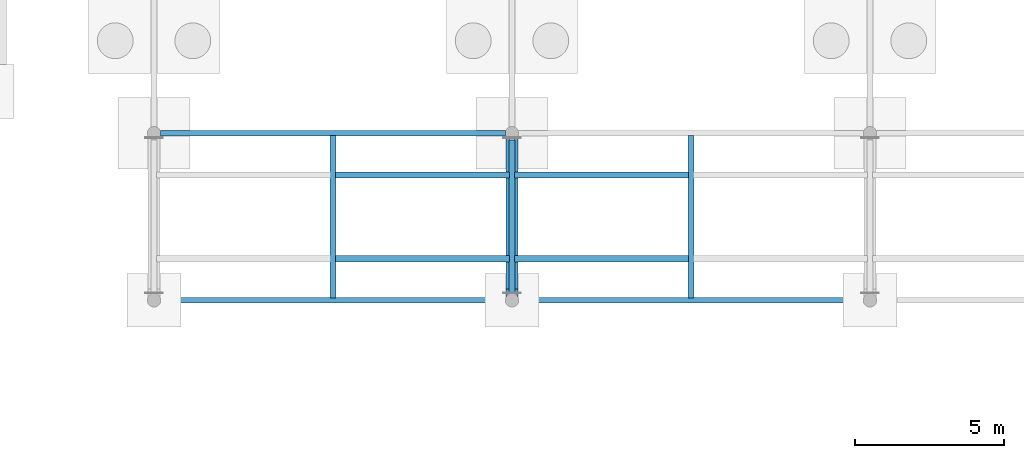
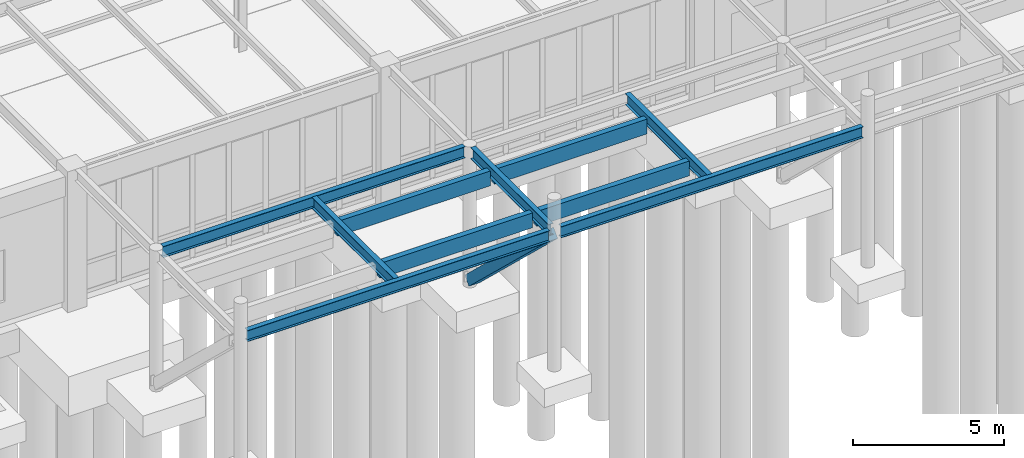
# One storey, part 54 of 188: 6 beams, 5 members.
"""IFC4 building model written with IfcOpenShell, lengths in metres."""

from ifc_helpers import new_model, si_unit, direction, frame, origin, origin_2d, place, context, subcontext, project, spatial, rectangle, i_section, extrude, material, material_profile, profile_set, type_object, element, save


model = new_model("IFC4")

# Units and contexts
model_context = context("Model", 3, precision=1e-05, world=origin(), true_north=direction((0.0, 1.0)))
body_context = subcontext(model_context, "Body", "Model", "MODEL_VIEW")
ifc_project = project(units=[si_unit("LENGTHUNIT", "METRE"), si_unit("AREAUNIT", "SQUARE_METRE"), si_unit("VOLUMEUNIT", "CUBIC_METRE"), si_unit("PLANEANGLEUNIT", "RADIAN"), si_unit("MASSUNIT", "GRAM", prefix="KILO")], contexts=[model_context])

# Site, building, storey
site_placement = place(None, origin())
site = spatial("IfcSite", under=ifc_project, at=site_placement, CompositionType="ELEMENT")
building_placement = place(site_placement, origin())
building = spatial("IfcBuilding", under=site, at=building_placement, Name="Pandanus Reach Market Hall", CompositionType="ELEMENT")
storey_placement = place(building_placement, origin())
storey = spatial("IfcBuildingStorey", under=building, at=storey_placement, Name="L00", CompositionType="ELEMENT", Elevation=0.0)

# Beams
ifc_material_1 = material(Name="Steel Grade 350 (350 MPa)", Category="steel")
ifc_material_profile_1 = material_profile(ifc_material_1, i_section(OverallWidth=0.18994140625, OverallDepth=0.45703125, WebThickness=0.009033203125, FlangeThickness=0.014404296875, at=origin_2d()), Name="460UB74.6", Category="LoadBearing")
ifc_profile_set_1 = profile_set([ifc_material_profile_1], Name="Steel Grade 350 (350 MPa)")
beam_type = type_object("IfcBeamType", Name="BM-UB460-E", PredefinedType="BEAM", material=ifc_profile_set_1)
beam_1_placement = place(storey_placement, frame((72.0, 17.820068359375, 5.169921875), z_axis=(0.0, 1.0, 0.0), x_axis=(-1.0, 0.0, 0.0)))
element("IfcBeam", 1, at=beam_1_placement, inside=storey, type_object=beam_type, Name="Forecourt canopy beam C2A", PredefinedType="BEAM", context=body_context, shape_type="SweptSolid", body=[
    extrude(i_section(OverallWidth=0.18994140625, OverallDepth=0.45703125, WebThickness=0.009033203125, FlangeThickness=0.014404296875, at=origin_2d()), origin(), (0.0, 0.0, 1.0), 5.159912109375),
])
for number, where, z_axis, x_axis, name in (
    (2, (60.219970703125, 17.60009765625, 5.169921875), (1.0, 0.0, 0.0), (0.0, 1.0, 0.0), "Forecourt canopy front girder C1"),
    (3, (60.219970703125, 23.199951171875, 5.169921875), (1.0, 0.0, 0.0), (0.0, 1.0, 0.0), "Forecourt canopy spine girder C1"),
):
    element("IfcBeam", number, at=place(storey_placement, frame(where, z_axis=z_axis, x_axis=x_axis)), inside=storey, type_object=beam_type, Name=name, PredefinedType="BEAM", context=body_context, shape_type="SweptSolid", body=[
        extrude(i_section(OverallWidth=0.18994140625, OverallDepth=0.45703125, WebThickness=0.009033203125, FlangeThickness=0.014404296875, at=origin_2d()), origin(), (0.0, 0.0, 1.0), 11.56005859375),
    ])
beam_2_placement = place(storey_placement, frame((66.0, 17.679931640625, 5.169921875), z_axis=(0.0, 1.0, 0.0), x_axis=(-1.0, 0.0, 0.0)))
element("IfcBeam", 4, at=beam_2_placement, inside=storey, type_object=beam_type, Name="Forecourt canopy valley girder C1", PredefinedType="BEAM", context=body_context, shape_type="SweptSolid", body=[
    extrude(i_section(OverallWidth=0.18994140625, OverallDepth=0.45703125, WebThickness=0.009033203125, FlangeThickness=0.014404296875, at=origin_2d()), origin(), (0.0, 0.0, 1.0), 5.440185546875),
])
beam_3_placement = place(storey_placement, frame((72.219970703125, 17.60009765625, 5.169921875), z_axis=(1.0, 0.0, 0.0), x_axis=(0.0, 1.0, 0.0)))
element("IfcBeam", 5, at=beam_3_placement, inside=storey, type_object=beam_type, Name="Forecourt canopy front girder C2", PredefinedType="BEAM", context=body_context, shape_type="SweptSolid", body=[
    extrude(i_section(OverallWidth=0.18994140625, OverallDepth=0.45703125, WebThickness=0.009033203125, FlangeThickness=0.014404296875, at=origin_2d()), origin(), (0.0, 0.0, 1.0), 11.56005859375),
])
beam_4_placement = place(storey_placement, frame((78.0, 17.679931640625, 5.169921875), z_axis=(0.0, 1.0, 0.0), x_axis=(-1.0, 0.0, 0.0)))
element("IfcBeam", 6, at=beam_4_placement, inside=storey, type_object=beam_type, Name="Forecourt canopy valley girder C2", PredefinedType="BEAM", context=body_context, shape_type="SweptSolid", body=[
    extrude(i_section(OverallWidth=0.18994140625, OverallDepth=0.45703125, WebThickness=0.009033203125, FlangeThickness=0.014404296875, at=origin_2d()), origin(), (0.0, 0.0, 1.0), 5.440185546875),
])

# Members
ifc_material_2 = material(Name="Glulam timber GL17", Category="wood")
ifc_material_profile_2 = material_profile(ifc_material_2, rectangle(XDim=0.215087890625, YDim=0.60009765625, at=origin_2d()), Name="GL215x600", Category="LoadBearing")
ifc_profile_set_2 = profile_set([ifc_material_profile_2], Name="Glulam timber GL17")
member_type_1 = type_object("IfcMemberType", Name="PR-GL215-E", PredefinedType="PURLIN", material=ifc_profile_set_2)
for number, where, z_axis, x_axis, name in (
    (7, (66.080078125, 19.0, 4.919921875), (1.0, 0.0, 0.0), (0.0, 1.0, 0.0), "Canopy glulam purlin C1E"),
    (8, (66.080078125, 21.800048828125, 4.919921875), (1.0, 0.0, 0.0), (0.0, 1.0, 0.0), "Canopy glulam purlin C1E"),
    (9, (72.080078125, 19.0, 4.919921875), (1.0, 0.0, 0.0), (0.0, 1.0, 0.0), "Canopy glulam purlin C2W"),
    (10, (72.080078125, 21.800048828125, 4.919921875), (1.0, 0.0, 0.0), (0.0, 1.0, 0.0), "Canopy glulam purlin C2W"),
):
    element("IfcMember", number, at=place(storey_placement, frame(where, z_axis=z_axis, x_axis=x_axis)), inside=storey, type_object=member_type_1, Name=name, PredefinedType="PURLIN", context=body_context, shape_type="SweptSolid", body=[
        extrude(rectangle(XDim=0.215087890625, YDim=0.60009765625, at=origin_2d()), origin(), (0.0, 0.0, 1.0), 5.83984375),
    ])
ifc_material_3 = material(Name="Concrete N50 (50 MPa)", Category="concrete")
ifc_material_profile_3 = material_profile(ifc_material_3, rectangle(XDim=0.39990234375, YDim=0.39990234375, at=origin_2d()), Name="RC400x400", Category="LoadBearing")
ifc_profile_set_3 = profile_set([ifc_material_profile_3], Name="Concrete N50 (50 MPa)")
member_type_2 = type_object("IfcMemberType", Name="VS-RC400-E", PredefinedType="STRUT", material=ifc_profile_set_3)
member_placement = place(storey_placement, frame((72.0, 23.050048828125, 0.0), z_axis=(0.0, -0.724303696682, 0.689481076587), x_axis=(1.0, 0.0, 0.0)))
element("IfcMember", 11, at=member_placement, inside=storey, type_object=member_type_2, Name="Forecourt canopy splayed V-strut C2", PredefinedType="STRUT", context=body_context, shape_type="SweptSolid", body=[
    extrude(rectangle(XDim=0.39990234375, YDim=0.39990234375, at=origin_2d()), origin(), (0.0, 0.0, 1.0), 7.17919921875),
])

save(model, "model.ifc")
